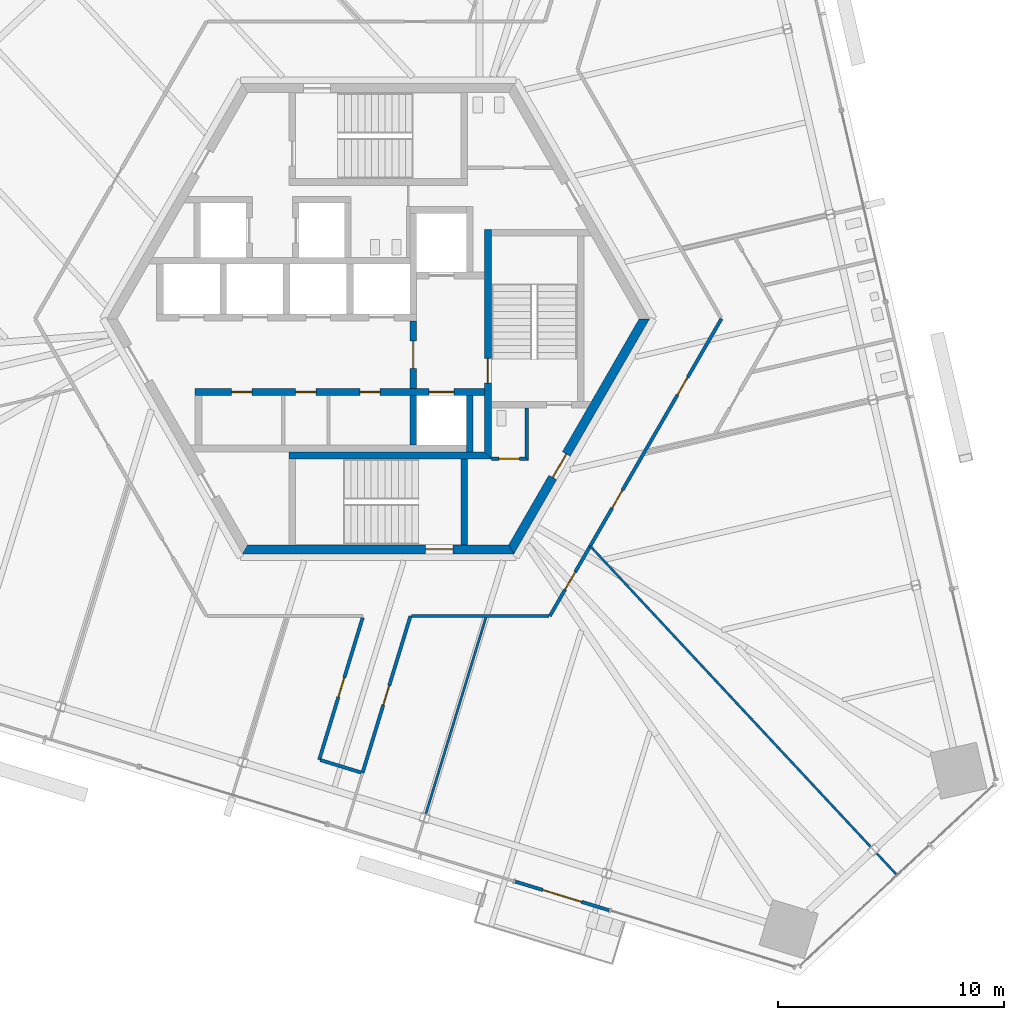
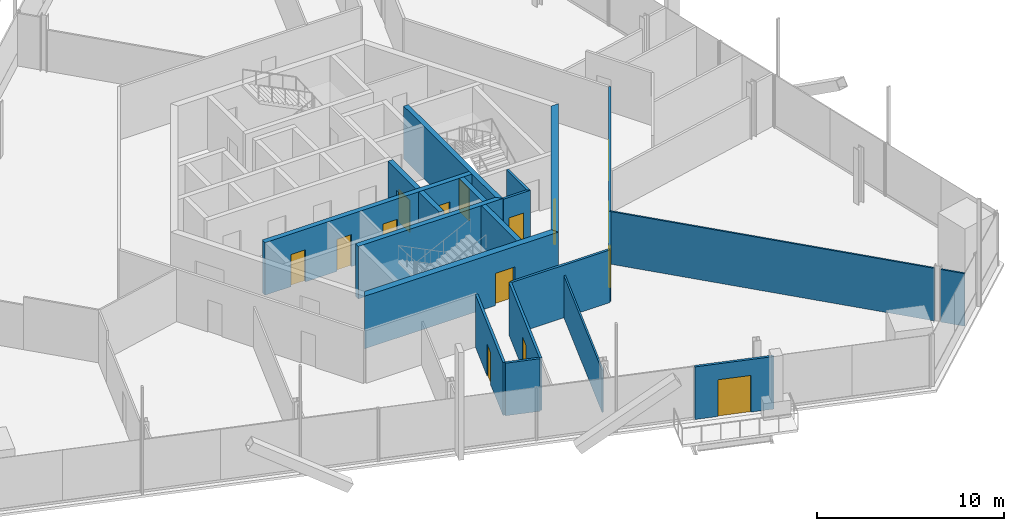
# One storey, part 12 of 21: 20 walls, 15 doors, 15 openings.
"""IFC4 building model written with IfcOpenShell, lengths in metres."""

from ifc_helpers import new_model, si_unit, direction, frame, frame_2d, origin, place, context, subcontext, project, spatial, polyline, rectangle, outline, extrude, source, transform, mapped, material, layer, layer_set, type_object, element, fill, save


model = new_model("IFC4")

# Units and contexts
model_context = context("Model", 3, precision=1e-05, world=origin(), true_north=direction((0.0, 1.0)))
body_context = subcontext(model_context, "Body", "Model", "MODEL_VIEW")
ifc_project = project(units=[si_unit("LENGTHUNIT", "METRE"), si_unit("AREAUNIT", "SQUARE_METRE"), si_unit("VOLUMEUNIT", "CUBIC_METRE"), si_unit("PLANEANGLEUNIT", "RADIAN"), si_unit("MASSUNIT", "GRAM", prefix="KILO")], contexts=[model_context])

# Site, building, storey
site_placement = place(None, origin())
site = spatial("IfcSite", under=ifc_project, at=site_placement, CompositionType="ELEMENT")
building_placement = place(site_placement, origin())
building = spatial("IfcBuilding", under=site, at=building_placement, Name="Triune Harvest Tower", CompositionType="ELEMENT")
storey_placement = place(building_placement, frame((0.0, 0.0, 119.89990234375)))
storey = spatial("IfcBuildingStorey", under=building, at=storey_placement, Name="L30", CompositionType="ELEMENT", Elevation=119.89990234375)

# Walls
ifc_material_1 = material(Name="Gypsum board on steel studs", Category="steel")
ifc_layer_1 = layer(ifc_material_1, 0.14990234375)
ifc_layer_set_1 = layer_set([ifc_layer_1], Name="Gypsum board on steel studs")
wall_type_1 = type_object("IfcWallType", Name="Fire Partition 150 mm", PredefinedType="PARTITIONING", material=ifc_layer_set_1)
wall_1_placement = place(storey_placement, frame((-2.558837890625, -19.510009765625, 0.0), z_axis=(0.0, 0.0, 1.0), x_axis=(0.95631646596, -0.292333400306, 0.0)))
element("IfcWall", 1, at=wall_1_placement, inside=storey, type_object=wall_type_1, Name="Partition L30 011", PredefinedType="PARTITIONING", context=body_context, shape_type="SweptSolid", body=[
    extrude(rectangle(XDim=1.889892578125, YDim=0.14990234375, at=frame_2d((0.94482421875, 0.0))), origin(), (0.0, 0.0, 1.0), 3.440185546875),
])
wall_2_placement = place(storey_placement, frame((1.47705078125, -13.142333984375, 0.0), z_axis=(0.0, 0.0, 1.0), x_axis=(1.0, 0.0, 0.0)))
element("IfcWall", 2, at=wall_2_placement, inside=storey, type_object=wall_type_1, Name="Partition L30 014", PredefinedType="PARTITIONING", context=body_context, shape_type="SweptSolid", body=[
    extrude(rectangle(XDim=6.070556640625, YDim=0.14990234375, at=frame_2d((3.03515625, 0.0))), origin(), (0.0, 0.0, 1.0), 3.440185546875),
])

# Wall, opening, door
wall_3_placement = place(storey_placement, frame((-0.694091796875, -20.080078125, 0.0), z_axis=(0.0, 0.0, 1.0), x_axis=(0.292373281217, 0.956304273979, 0.0)))
wall_3 = element("IfcWall", 3, at=wall_3_placement, inside=storey, type_object=wall_type_1, Name="Partition L30 030", PredefinedType="PARTITIONING", context=body_context, shape_type="SweptSolid", body=[
    extrude(rectangle(XDim=7.254638671875, YDim=0.14990234375, at=frame_2d((3.62744140625, 0.0))), origin(), (0.0, 0.0, 1.0), 3.440185546875),
])
opening_1_placement = place(wall_3_placement, frame((3.139892578125, 0.0, 0.0)))
opening_1 = element("IfcOpeningElement", 4, at=opening_1_placement, cuts=wall_3, Name="Opening L30-015", PredefinedType="OPENING", context=body_context, shape_type="SweptSolid", body=[
    extrude(rectangle(XDim=0.89990234375, YDim=2.10009765625, at=frame_2d((0.449951171875, 1.050048828125))), frame((0.0, 0.0849609375, 0.0), z_axis=(0.0, -1.0, 0.0), x_axis=(1.0, 0.0, 0.0)), (0.0, 0.0, 1.0), 0.169921875),
])
ifc_material_2 = material(Name="Timber and steel door set", Category="steel")
door_type_1 = type_object("IfcDoorType", Name="Single leaf door FD30 right hand 900 x 2100", OperationType="SINGLE_SWING_RIGHT", PredefinedType="DOOR", material=ifc_material_2)
door_1_placement = place(opening_1_placement, origin())
door_1 = element("IfcDoor", 5, at=door_1_placement, inside=storey, type_object=door_type_1, Name="Door L30-015 Meeting Room 30.15", OperationType="SINGLE_SWING_RIGHT", OverallHeight=2.10009765625, OverallWidth=0.89990234375, PredefinedType="DOOR", context=body_context, shape_type="SweptSolid", body=[
    extrude(rectangle(XDim=0.89990234375, YDim=2.10009765625, at=frame_2d((0.449951171875, 1.050048828125))), frame((0.0, 0.02490234375, 0.0), z_axis=(0.0, -1.0, 0.0), x_axis=(1.0, 0.0, 0.0)), (0.0, 0.0, 1.0), 0.050048828125),
])
fill(opening_1, door_1)

wall_4_placement = place(storey_placement, frame((-2.60693359375, -19.495361328125, 0.0), z_axis=(0.0, 0.0, 1.0), x_axis=(0.292370681145, 0.956305068901, 0.0)))
wall_4 = element("IfcWall", 6, at=wall_4_placement, inside=storey, type_object=wall_type_1, Name="Partition L30 032", PredefinedType="PARTITIONING", context=body_context, shape_type="SweptSolid", body=[
    extrude(rectangle(XDim=6.5634765625, YDim=0.14990234375, at=frame_2d((3.28173828125, 0.0))), origin(), (0.0, 0.0, 1.0), 3.440185546875),
])
opening_2_placement = place(wall_4_placement, frame((2.8935546875, 0.0, 0.0)))
opening_2 = element("IfcOpeningElement", 7, at=opening_2_placement, cuts=wall_4, Name="Opening L30-014", PredefinedType="OPENING", context=body_context, shape_type="SweptSolid", body=[
    extrude(rectangle(XDim=0.89990234375, YDim=2.10009765625, at=frame_2d((0.449951171875, 1.050048828125))), frame((0.0, 0.0849609375, 0.0), z_axis=(0.0, -1.0, 0.0), x_axis=(1.0, 0.0, 0.0)), (0.0, 0.0, 1.0), 0.169921875),
])
door_2_placement = place(opening_2_placement, origin())
door_2 = element("IfcDoor", 8, at=door_2_placement, inside=storey, type_object=door_type_1, Name="Door L30-014 Office 30.14", OperationType="SINGLE_SWING_RIGHT", OverallHeight=2.10009765625, OverallWidth=0.89990234375, PredefinedType="DOOR", context=body_context, shape_type="SweptSolid", body=[
    extrude(rectangle(XDim=0.89990234375, YDim=2.10009765625, at=frame_2d((0.449951171875, 1.050048828125))), frame((0.0, 0.02490234375, 0.0), z_axis=(0.0, -1.0, 0.0), x_axis=(1.0, 0.0, 0.0)), (0.0, 0.0, 1.0), 0.050048828125),
])
fill(opening_2, door_2)

ifc_material_3 = material(Name="Concrete 70 MPa", Category="concrete")
ifc_layer_2 = layer(ifc_material_3, 0.39990234375)
ifc_layer_set_2 = layer_set([ifc_layer_2], Name="Concrete 70 MPa")
wall_type_2 = type_object("IfcWallType", Name="Core wall 400", PredefinedType="SHEAR", material=ifc_layer_set_2)
shared_shape_1 = source(origin(), body_context, "Body", "SweptSolid", [
    extrude(outline(polyline([(-0.115478515625, -0.199951171875), (11.884521484375, -0.199951171875), (11.653564453125, 0.199951171875), (0.115478515625, 0.199951171875), (-0.115478515625, -0.199951171875)])), origin(), (0.0, 0.0, 1.0), 3.440185546875),
])
wall_5_placement = place(storey_placement, frame((-5.884521484375, -10.1923828125, 0.0), z_axis=(0.0, 0.0, 1.0), x_axis=(1.0, 0.0, 0.0)))
wall_5 = element("IfcWall", 9, at=wall_5_placement, inside=storey, type_object=wall_type_2, Name="Hexagon 4 wall", PredefinedType="SHEAR", context=body_context, shape_type="MappedRepresentation", body=[
    mapped(shared_shape_1, transform((0.0, 0.0, 0.0), scale=1.0)),
])
opening_3_placement = place(wall_5_placement, frame((7.984619140625, 0.0, 0.0)))
opening_3 = element("IfcOpeningElement", 10, at=opening_3_placement, cuts=wall_5, Name="Opening CD-S2P", PredefinedType="OPENING", context=body_context, shape_type="SweptSolid", body=[
    extrude(rectangle(XDim=1.199951171875, YDim=2.10009765625, at=frame_2d((0.60009765625, 1.050048828125))), frame((0.0, 0.2099609375, 0.0), z_axis=(0.0, -1.0, 0.0), x_axis=(1.0, 0.0, 0.0)), (0.0, 0.0, 1.0), 0.419921875),
])
ifc_material_4 = material(Name="Steel S235", Category="steel")
door_type_2 = type_object("IfcDoorType", Name="Stair door 1200 FD120", OperationType="SINGLE_SWING_LEFT", PredefinedType="DOOR", material=ifc_material_4)
door_3_placement = place(opening_3_placement, frame((1.199951171875, 0.0, 0.0), z_axis=(0.0, 0.0, 1.0), x_axis=(-1.0, 0.0, 0.0)))
door_3 = element("IfcDoor", 11, at=door_3_placement, inside=storey, type_object=door_type_2, Name="Door CD-S2P", OperationType="SINGLE_SWING_RIGHT", OverallHeight=2.10009765625, OverallWidth=1.199951171875, PredefinedType="DOOR", context=body_context, shape_type="SweptSolid", body=[
    extrude(rectangle(XDim=1.199951171875, YDim=2.10009765625, at=frame_2d((0.60009765625, 1.050048828125))), frame((0.0, 0.02490234375, 0.0), z_axis=(0.0, -1.0, 0.0), x_axis=(1.0, 0.0, 0.0)), (0.0, 0.0, 1.0), 0.050048828125),
])
fill(opening_3, door_3)

wall_6_placement = place(storey_placement, frame((5.884521484375, -10.1923828125, 0.0), z_axis=(0.0, 0.0, 1.0), x_axis=(0.499996592174, 0.866027371285, 0.0)))
wall_6 = element("IfcWall", 12, at=wall_6_placement, inside=storey, type_object=wall_type_2, Name="Hexagon 5 wall", PredefinedType="SHEAR", context=body_context, shape_type="MappedRepresentation", body=[
    mapped(shared_shape_1, transform((0.0, 0.0, 0.0), scale=1.0)),
])
opening_4_placement = place(wall_6_placement, frame((3.66455078125, 0.0, 0.0)))
opening_4 = element("IfcOpeningElement", 13, at=opening_4_placement, cuts=wall_6, Name="Opening CD-DP", PredefinedType="OPENING", context=body_context, shape_type="SweptSolid", body=[
    extrude(rectangle(XDim=1.199951171875, YDim=2.10009765625, at=frame_2d((0.60009765625, 1.050048828125))), frame((0.0, 0.2099609375, 0.0), z_axis=(0.0, -1.0, 0.0), x_axis=(1.0, 0.0, 0.0)), (0.0, 0.0, 1.0), 0.419921875),
])
door_4_placement = place(opening_4_placement, frame((1.199951171875, 0.0, 0.0), z_axis=(0.0, 0.0, 1.0), x_axis=(-1.0, 0.0, 0.0)))
door_4 = element("IfcDoor", 14, at=door_4_placement, inside=storey, type_object=door_type_2, Name="Door CD-DP", OperationType="SINGLE_SWING_RIGHT", OverallHeight=2.10009765625, OverallWidth=1.199951171875, PredefinedType="DOOR", context=body_context, shape_type="SweptSolid", body=[
    extrude(rectangle(XDim=1.199951171875, YDim=2.10009765625, at=frame_2d((0.60009765625, 1.050048828125))), frame((0.0, 0.02490234375, 0.0), z_axis=(0.0, -1.0, 0.0), x_axis=(1.0, 0.0, 0.0)), (0.0, 0.0, 1.0), 0.050048828125),
])
fill(opening_4, door_4)

# Wall
ifc_material_5 = material(Name="Concrete 70 MPa", Category="concrete")
ifc_layer_3 = layer(ifc_material_5, 0.300048828125)
ifc_layer_set_3 = layer_set([ifc_layer_3], Name="Concrete 70 MPa")
wall_type_3 = type_object("IfcWallType", Name="Core wall 300", PredefinedType="SHEAR", material=ifc_layer_set_3)
shared_shape_2 = source(origin(), body_context, "Body", "SweptSolid", [
    extrude(rectangle(XDim=2.5, YDim=0.300048828125, at=frame_2d((1.25, 0.0))), origin(), (0.0, 0.0, 1.0), 3.440185546875),
])
wall_7_placement = place(storey_placement, frame((4.050048828125, -5.889892578125, 0.0), z_axis=(0.0, 0.0, 1.0), x_axis=(0.0, 1.0, 0.0)))
element("IfcWall", 15, at=wall_7_placement, inside=storey, type_object=wall_type_3, Name="Ff2 east wall", PredefinedType="SHEAR", context=body_context, shape_type="MappedRepresentation", body=[
    mapped(shared_shape_2, transform((0.0, 0.0, 0.0), scale=1.0)),
])

# Wall, opening, door
shared_shape_3 = source(origin(), body_context, "Body", "SweptSolid", [
    extrude(rectangle(XDim=3.0, YDim=0.300048828125, at=frame_2d((1.5, 0.0))), origin(), (0.0, 0.0, 1.0), 3.440185546875),
])
wall_8_placement = place(storey_placement, frame((1.550048828125, -3.090087890625, 0.0), z_axis=(0.0, 0.0, 1.0), x_axis=(0.0, 1.0, 0.0)))
wall_8 = element("IfcWall", 16, at=wall_8_placement, inside=storey, type_object=wall_type_3, Name="Ff lobby west wall", PredefinedType="SHEAR", context=body_context, shape_type="MappedRepresentation", body=[
    mapped(shared_shape_3, transform((0.0, 0.0, 0.0), scale=1.0)),
])
opening_5_placement = place(wall_8_placement, frame((0.89990234375, 0.0, 0.0)))
opening_5 = element("IfcOpeningElement", 17, at=opening_5_placement, cuts=wall_8, Name="Opening CD-FL", PredefinedType="OPENING", context=body_context, shape_type="SweptSolid", body=[
    extrude(rectangle(XDim=1.199951171875, YDim=2.10009765625, at=frame_2d((0.60009765625, 1.050048828125))), frame((0.0, 0.16015625, 0.0), z_axis=(0.0, -1.0, 0.0), x_axis=(1.0, 0.0, 0.0)), (0.0, 0.0, 1.0), 0.320068359375),
])
ifc_material_6 = material(Name="Steel S235", Category="steel")
door_type_3 = type_object("IfcDoorType", Name="Firefighters' lobby door 1200 FD120", OperationType="SINGLE_SWING_LEFT", PredefinedType="DOOR", material=ifc_material_6)
door_5_placement = place(opening_5_placement, frame((1.199951171875, 0.0, 0.0), z_axis=(0.0, 0.0, 1.0), x_axis=(-1.0, 0.0, 0.0)))
door_5 = element("IfcDoor", 18, at=door_5_placement, inside=storey, type_object=door_type_3, Name="Door CD-FL", OperationType="SINGLE_SWING_RIGHT", OverallHeight=2.10009765625, OverallWidth=1.199951171875, PredefinedType="DOOR", context=body_context, shape_type="SweptSolid", body=[
    extrude(rectangle(XDim=1.199951171875, YDim=2.10009765625, at=frame_2d((0.60009765625, 1.050048828125))), frame((0.0, 0.02490234375, 0.0), z_axis=(0.0, -1.0, 0.0), x_axis=(1.0, 0.0, 0.0)), (0.0, 0.0, 1.0), 0.050048828125),
])
fill(opening_5, door_5)

# Wall, openings, doors
shared_shape_4 = source(origin(), body_context, "Body", "SweptSolid", [
    extrude(rectangle(XDim=12.800048828125, YDim=0.300048828125, at=frame_2d((6.39990234375, 0.0))), origin(), (0.0, 0.0, 1.0), 3.440185546875),
])
wall_9_placement = place(storey_placement, frame((-8.10009765625, -3.239990234375, 0.0), z_axis=(0.0, 0.0, 1.0), x_axis=(1.0, 0.0, 0.0)))
wall_9 = element("IfcWall", 19, at=wall_9_placement, inside=storey, type_object=wall_type_3, Name="South front wall", PredefinedType="SHEAR", context=body_context, shape_type="MappedRepresentation", body=[
    mapped(shared_shape_4, transform((0.0, 0.0, 0.0), scale=1.0)),
])
opening_6_placement = place(wall_9_placement, frame((1.612548828125, 0.0, 0.0)))
opening_6 = element("IfcOpeningElement", 20, at=opening_6_placement, cuts=wall_9, Name="Opening CD-RS1", PredefinedType="OPENING", context=body_context, shape_type="SweptSolid", body=[
    extrude(rectangle(XDim=0.89990234375, YDim=2.10009765625, at=frame_2d((0.449951171875, 1.050048828125))), frame((0.0, 0.16015625, 0.0), z_axis=(0.0, -1.0, 0.0), x_axis=(1.0, 0.0, 0.0)), (0.0, 0.0, 1.0), 0.320068359375),
])
opening_7_placement = place(wall_9_placement, frame((4.449951171875, 0.0, 0.0)))
opening_7 = element("IfcOpeningElement", 21, at=opening_7_placement, cuts=wall_9, Name="Opening CD-RS2", PredefinedType="OPENING", context=body_context, shape_type="SweptSolid", body=[
    extrude(rectangle(XDim=0.89990234375, YDim=2.10009765625, at=frame_2d((0.449951171875, 1.050048828125))), frame((0.0, 0.16015625, 0.0), z_axis=(0.0, -1.0, 0.0), x_axis=(1.0, 0.0, 0.0)), (0.0, 0.0, 1.0), 0.320068359375),
])
opening_8_placement = place(wall_9_placement, frame((7.28759765625, 0.0, 0.0)))
opening_8 = element("IfcOpeningElement", 22, at=opening_8_placement, cuts=wall_9, Name="Opening CD-RS3", PredefinedType="OPENING", context=body_context, shape_type="SweptSolid", body=[
    extrude(rectangle(XDim=0.89990234375, YDim=2.10009765625, at=frame_2d((0.449951171875, 1.050048828125))), frame((0.0, 0.16015625, 0.0), z_axis=(0.0, -1.0, 0.0), x_axis=(1.0, 0.0, 0.0)), (0.0, 0.0, 1.0), 0.320068359375),
])
opening_9_placement = place(wall_9_placement, frame((10.35009765625, 0.0, 0.0)))
opening_9 = element("IfcOpeningElement", 23, at=opening_9_placement, cuts=wall_9, Name="Opening LD-FF2-30", PredefinedType="OPENING", context=body_context, shape_type="SweptSolid", body=[
    extrude(rectangle(XDim=1.10009765625, YDim=2.10009765625, at=frame_2d((0.550048828125, 1.050048828125))), frame((0.0, 0.16015625, 0.0), z_axis=(0.0, -1.0, 0.0), x_axis=(1.0, 0.0, 0.0)), (0.0, 0.0, 1.0), 0.320068359375),
])
ifc_material_7 = material(Name="Stainless steel AISI 304", Category="steel")
door_type_4 = type_object("IfcDoorType", Name="Landing door 1100 x 2100", OperationType="DOUBLE_DOOR_SLIDING", PredefinedType="DOOR", material=ifc_material_7)
door_6_placement = place(opening_9_placement, origin())
door_6 = element("IfcDoor", 24, at=door_6_placement, inside=storey, type_object=door_type_4, Name="Door LD-FF2-30", OperationType="DOUBLE_DOOR_SLIDING", OverallHeight=2.10009765625, OverallWidth=1.10009765625, PredefinedType="DOOR", context=body_context, shape_type="SweptSolid", body=[
    extrude(rectangle(XDim=1.10009765625, YDim=2.10009765625, at=frame_2d((0.550048828125, 1.050048828125))), frame((0.0, 0.02490234375, 0.0), z_axis=(0.0, -1.0, 0.0), x_axis=(1.0, 0.0, 0.0)), (0.0, 0.0, 1.0), 0.050048828125),
])
fill(opening_9, door_6)
ifc_material_8 = material(Name="Steel S235", Category="steel")
door_type_5 = type_object("IfcDoorType", Name="Riser door 900 FD120", OperationType="SINGLE_SWING_LEFT", PredefinedType="DOOR", material=ifc_material_8)
door_7_placement = place(opening_6_placement, origin())
door_7 = element("IfcDoor", 25, at=door_7_placement, inside=storey, type_object=door_type_5, Name="Door CD-RS1", OperationType="SINGLE_SWING_LEFT", OverallHeight=2.10009765625, OverallWidth=0.89990234375, PredefinedType="DOOR", context=body_context, shape_type="SweptSolid", body=[
    extrude(rectangle(XDim=0.89990234375, YDim=2.10009765625, at=frame_2d((0.449951171875, 1.050048828125))), frame((0.0, 0.02490234375, 0.0), z_axis=(0.0, -1.0, 0.0), x_axis=(1.0, 0.0, 0.0)), (0.0, 0.0, 1.0), 0.050048828125),
])
fill(opening_6, door_7)
door_8_placement = place(opening_7_placement, origin())
door_8 = element("IfcDoor", 26, at=door_8_placement, inside=storey, type_object=door_type_5, Name="Door CD-RS2", OperationType="SINGLE_SWING_LEFT", OverallHeight=2.10009765625, OverallWidth=0.89990234375, PredefinedType="DOOR", context=body_context, shape_type="SweptSolid", body=[
    extrude(rectangle(XDim=0.89990234375, YDim=2.10009765625, at=frame_2d((0.449951171875, 1.050048828125))), frame((0.0, 0.02490234375, 0.0), z_axis=(0.0, -1.0, 0.0), x_axis=(1.0, 0.0, 0.0)), (0.0, 0.0, 1.0), 0.050048828125),
])
fill(opening_7, door_8)
door_9_placement = place(opening_8_placement, origin())
door_9 = element("IfcDoor", 27, at=door_9_placement, inside=storey, type_object=door_type_5, Name="Door CD-RS3", OperationType="SINGLE_SWING_LEFT", OverallHeight=2.10009765625, OverallWidth=0.89990234375, PredefinedType="DOOR", context=body_context, shape_type="SweptSolid", body=[
    extrude(rectangle(XDim=0.89990234375, YDim=2.10009765625, at=frame_2d((0.449951171875, 1.050048828125))), frame((0.0, 0.02490234375, 0.0), z_axis=(0.0, -1.0, 0.0), x_axis=(1.0, 0.0, 0.0)), (0.0, 0.0, 1.0), 0.050048828125),
])
fill(opening_8, door_9)

# Wall
shared_shape_5 = source(origin(), body_context, "Body", "SweptSolid", [
    extrude(rectangle(XDim=2.2001953125, YDim=0.300048828125, at=frame_2d((1.10009765625, 0.0))), origin(), (0.0, 0.0, 1.0), 3.440185546875),
])
wall_10_placement = place(storey_placement, frame((1.550048828125, -5.590087890625, 0.0), z_axis=(0.0, 0.0, 1.0), x_axis=(0.0, 1.0, 0.0)))
element("IfcWall", 28, at=wall_10_placement, inside=storey, type_object=wall_type_3, Name="Ff2 west wall", PredefinedType="SHEAR", context=body_context, shape_type="MappedRepresentation", body=[
    mapped(shared_shape_5, transform((0.0, 0.0, 0.0), scale=1.0)),
])

# Wall, opening, door
shared_shape_6 = source(origin(), body_context, "Body", "SweptSolid", [
    extrude(outline(polyline([(-0.14990234375, -0.14990234375), (9.989990234375, -0.14990234375), (9.989990234375, 0.14990234375), (0.14990234375, 0.14990234375), (-0.14990234375, -0.14990234375)])), origin(), (0.0, 0.0, 1.0), 3.440185546875),
])
wall_11_placement = place(storey_placement, frame((4.85009765625, -6.0400390625, 0.0), z_axis=(0.0, 0.0, 1.0), x_axis=(0.0, 1.0, 0.0)))
wall_11 = element("IfcWall", 29, at=wall_11_placement, inside=storey, type_object=wall_type_3, Name="Stair e west wall", PredefinedType="SHEAR", context=body_context, shape_type="MappedRepresentation", body=[
    mapped(shared_shape_6, transform((0.0, 0.0, 0.0), scale=1.0)),
])
opening_10_placement = place(wall_11_placement, frame((3.18994140625, 0.0, 0.0)))
opening_10 = element("IfcOpeningElement", 30, at=opening_10_placement, cuts=wall_11, Name="Opening CD-S3L", PredefinedType="OPENING", context=body_context, shape_type="SweptSolid", body=[
    extrude(rectangle(XDim=1.10009765625, YDim=2.10009765625, at=frame_2d((0.550048828125, 1.050048828125))), frame((0.0, 0.16015625, 0.0), z_axis=(0.0, -1.0, 0.0), x_axis=(1.0, 0.0, 0.0)), (0.0, 0.0, 1.0), 0.320068359375),
])
ifc_material_9 = material(Name="Steel S235", Category="steel")
door_type_6 = type_object("IfcDoorType", Name="Stair door 1100 FD120", OperationType="SINGLE_SWING_LEFT", PredefinedType="DOOR", material=ifc_material_9)
door_10_placement = place(opening_10_placement, frame((1.10009765625, 0.0, 0.0), z_axis=(0.0, 0.0, 1.0), x_axis=(-1.0, 0.0, 0.0)))
door_10 = element("IfcDoor", 31, at=door_10_placement, inside=storey, type_object=door_type_6, Name="Door CD-S3L", OperationType="SINGLE_SWING_RIGHT", OverallHeight=2.10009765625, OverallWidth=1.10009765625, PredefinedType="DOOR", context=body_context, shape_type="SweptSolid", body=[
    extrude(rectangle(XDim=1.10009765625, YDim=2.10009765625, at=frame_2d((0.550048828125, 1.050048828125))), frame((0.0, 0.02490234375, 0.0), z_axis=(0.0, -1.0, 0.0), x_axis=(1.0, 0.0, 0.0)), (0.0, 0.0, 1.0), 0.050048828125),
])
fill(opening_10, door_10)

# Walls
shared_shape_7 = source(origin(), body_context, "Body", "SweptSolid", [
    extrude(outline(polyline([(0.0, -0.14990234375), (8.949951171875, -0.14990234375), (8.64990234375, 0.14990234375), (0.0, 0.14990234375), (0.0, -0.14990234375)])), origin(), (0.0, 0.0, 1.0), 3.440185546875),
])
wall_12_placement = place(storey_placement, frame((-3.949951171875, -6.0400390625, 0.0), z_axis=(0.0, 0.0, 1.0), x_axis=(1.0, 0.0, 0.0)))
element("IfcWall", 32, at=wall_12_placement, inside=storey, type_object=wall_type_3, Name="Stair s north wall", PredefinedType="SHEAR", context=body_context, shape_type="MappedRepresentation", body=[
    mapped(shared_shape_7, transform((0.0, 0.0, 0.0), scale=1.0)),
])
shared_shape_8 = source(origin(), body_context, "Body", "SweptSolid", [
    extrude(outline(polyline([(3.800048828125, -0.14990234375), (-0.00439453125, -0.14990234375), (-0.00439453125, 0.14990234375), (3.800048828125, 0.14990234375), (3.800048828125, -0.14990234375)])), origin(), (0.0, 0.0, 1.0), 3.440185546875),
])
wall_13_placement = place(storey_placement, frame((3.800048828125, -9.989990234375, 0.0), z_axis=(0.0, 0.0, 1.0), x_axis=(0.0, 1.0, 0.0)))
element("IfcWall", 33, at=wall_13_placement, inside=storey, type_object=wall_type_3, Name="Stair s east wall", PredefinedType="SHEAR", context=body_context, shape_type="MappedRepresentation", body=[
    mapped(shared_shape_8, transform((0.0, 0.0, 0.0), scale=1.0)),
])

# Wall, opening, door
ifc_material_10 = material(Name="Concrete masonry unit", Category="masonry")
ifc_layer_4 = layer(ifc_material_10, 0.14990234375)
ifc_layer_set_4 = layer_set([ifc_layer_4], Name="Concrete masonry unit")
wall_type_4 = type_object("IfcWallType", Name="Block partition 150 unrated", PredefinedType="PARTITIONING", material=ifc_layer_set_4)
shared_shape_9 = source(origin(), body_context, "Body", "SweptSolid", [
    extrude(outline(polyline([(0.0, -0.074951171875), (1.64990234375, -0.074951171875), (1.5, 0.074951171875), (0.0, 0.074951171875), (0.0, -0.074951171875)])), origin(), (0.0, 0.0, 1.0), 3.440185546875),
])
wall_14_placement = place(storey_placement, frame((5.0, -6.18994140625, 0.0), z_axis=(0.0, 0.0, 1.0), x_axis=(1.0, 0.0, 0.0)))
wall_14 = element("IfcWall", 34, at=wall_14_placement, inside=storey, type_object=wall_type_4, Name="Wc acc south wall", PredefinedType="PARTITIONING", context=body_context, shape_type="MappedRepresentation", body=[
    mapped(shared_shape_9, transform((0.0, 0.0, 0.0), scale=1.0)),
])
opening_11_placement = place(wall_14_placement, frame((0.33740234375, 0.0, 0.0)))
opening_11 = element("IfcOpeningElement", 35, at=opening_11_placement, cuts=wall_14, Name="Opening CD-WA", PredefinedType="OPENING", context=body_context, shape_type="SweptSolid", body=[
    extrude(rectangle(XDim=0.89990234375, YDim=2.10009765625, at=frame_2d((0.449951171875, 1.050048828125))), frame((0.0, 0.0849609375, 0.0), z_axis=(0.0, -1.0, 0.0), x_axis=(1.0, 0.0, 0.0)), (0.0, 0.0, 1.0), 0.169921875),
])
ifc_material_11 = material(Name="Timber C24", Category="wood")
door_type_7 = type_object("IfcDoorType", Name="WC door 900", OperationType="SINGLE_SWING_LEFT", PredefinedType="DOOR", material=ifc_material_11)
door_11_placement = place(opening_11_placement, origin())
door_11 = element("IfcDoor", 36, at=door_11_placement, inside=storey, type_object=door_type_7, Name="Door CD-WA", OperationType="SINGLE_SWING_LEFT", OverallHeight=2.10009765625, OverallWidth=0.89990234375, PredefinedType="DOOR", context=body_context, shape_type="SweptSolid", body=[
    extrude(rectangle(XDim=0.89990234375, YDim=2.10009765625, at=frame_2d((0.449951171875, 1.050048828125))), frame((0.0, 0.02490234375, 0.0), z_axis=(0.0, -1.0, 0.0), x_axis=(1.0, 0.0, 0.0)), (0.0, 0.0, 1.0), 0.050048828125),
])
fill(opening_11, door_11)

# Wall
shared_shape_10 = source(origin(), body_context, "Body", "SweptSolid", [
    extrude(outline(polyline([(-0.074951171875, -0.074951171875), (2.239990234375, -0.074951171875), (2.239990234375, 0.074951171875), (0.074951171875, 0.074951171875), (-0.074951171875, -0.074951171875)])), origin(), (0.0, 0.0, 1.0), 3.440185546875),
])
wall_15_placement = place(storey_placement, frame((6.574951171875, -6.18994140625, 0.0), z_axis=(0.0, 0.0, 1.0), x_axis=(0.0, 1.0, 0.0)))
element("IfcWall", 37, at=wall_15_placement, inside=storey, type_object=wall_type_4, Name="Wc acc east wall", PredefinedType="PARTITIONING", context=body_context, shape_type="MappedRepresentation", body=[
    mapped(shared_shape_10, transform((0.0, 0.0, 0.0), scale=1.0)),
])

# Wall, opening, door
ifc_material_12 = material(Name="Aluminium bronze anodised", Category="aluminium")
ifc_layer_5 = layer(ifc_material_12, 0.14990234375)
ifc_layer_set_5 = layer_set([ifc_layer_5], Name="Aluminium bronze anodised")
wall_type_5 = type_object("IfcWallType", Name="WW-2 balcony window wall", PredefinedType="ELEMENTEDWALL", material=ifc_layer_set_5)
shared_shape_11 = source(origin(), body_context, "Body", "SweptSolid", [
    extrude(rectangle(XDim=4.353271484375, YDim=0.14990234375, at=frame_2d((2.1767578125, 0.0))), origin(), (0.0, 0.0, 1.0), 3.440185546875),
])
wall_16_placement = place(storey_placement, frame((10.21337890625, -26.153076171875, 0.0), z_axis=(0.0, 0.0, 1.0), x_axis=(-0.956309766943, 0.292355314044, 0.0)))
wall_16 = element("IfcWall", 38, at=wall_16_placement, inside=storey, type_object=wall_type_5, Name="WW-2 B3-F5 L30.10", PredefinedType="ELEMENTEDWALL", context=body_context, shape_type="MappedRepresentation", body=[
    mapped(shared_shape_11, transform((0.0, 0.0, 0.0), scale=1.0)),
])
opening_12_placement = place(wall_16_placement, frame((1.276611328125, 0.0, 0.0)))
opening_12 = element("IfcOpeningElement", 39, at=opening_12_placement, cuts=wall_16, Name="Opening L30-E02", PredefinedType="OPENING", context=body_context, shape_type="SweptSolid", body=[
    extrude(rectangle(XDim=1.800048828125, YDim=2.39990234375, at=frame_2d((0.89990234375, 1.199951171875))), frame((0.0, 0.0849609375, 0.0), z_axis=(0.0, -1.0, 0.0), x_axis=(1.0, 0.0, 0.0)), (0.0, 0.0, 1.0), 0.169921875),
])
ifc_material_13 = material(Name="Glass", Category="glass")
door_type_8 = type_object("IfcDoorType", Name="DB-1 balcony door 1800 x 2400", OperationType="DOUBLE_DOOR_SINGLE_SWING", PredefinedType="DOOR", material=ifc_material_13)
door_12_placement = place(opening_12_placement, origin())
door_12 = element("IfcDoor", 40, at=door_12_placement, inside=storey, type_object=door_type_8, Name="Door L30-E02", OperationType="DOUBLE_DOOR_SINGLE_SWING", OverallHeight=2.39990234375, OverallWidth=1.800048828125, PredefinedType="DOOR", context=body_context, shape_type="SweptSolid", body=[
    extrude(rectangle(XDim=1.800048828125, YDim=2.39990234375, at=frame_2d((0.89990234375, 1.199951171875))), frame((0.0, 0.02490234375, 0.0), z_axis=(0.0, -1.0, 0.0), x_axis=(1.0, 0.0, 0.0)), (0.0, 0.0, 1.0), 0.050048828125),
])
fill(opening_12, door_12)

# Walls
ifc_material_14 = material(Name="Gypsum board on steel studs", Category="steel")
ifc_layer_6 = layer(ifc_material_14, 0.10009765625)
ifc_layer_set_6 = layer_set([ifc_layer_6], Name="Gypsum board on steel studs")
wall_type_6 = type_object("IfcWallType", Name="Partition 100 mm", PredefinedType="PARTITIONING", material=ifc_layer_set_6)
shared_shape_12 = source(origin(), body_context, "Body", "SweptSolid", [
    extrude(rectangle(XDim=1.338134765625, YDim=0.10009765625, at=frame_2d((0.6689453125, 0.0))), origin(), (0.0, 0.0, 1.0), 3.440185546875),
])
wall_17_placement = place(storey_placement, frame((22.02490234375, -23.618896484375, 0.0), z_axis=(0.0, 0.0, 1.0), x_axis=(0.68204515899, -0.731310058114, 0.0)))
element("IfcWall", 41, at=wall_17_placement, inside=storey, type_object=wall_type_6, Name="Partition L30 008", PredefinedType="PARTITIONING", context=body_context, shape_type="MappedRepresentation", body=[
    mapped(shared_shape_12, transform((0.0, 0.0, 0.0), scale=1.0)),
])
shared_shape_13 = source(origin(), body_context, "Body", "SweptSolid", [
    extrude(rectangle(XDim=18.19091796875, YDim=0.10009765625, at=frame_2d((9.095458984375, 0.0))), origin(), (0.0, 0.0, 1.0), 3.440185546875),
])
wall_18_placement = place(storey_placement, frame((9.37255859375, -10.05078125, 0.0), z_axis=(0.0, 0.0, 1.0), x_axis=(0.682001629271, -0.73135065302, 0.0)))
element("IfcWall", 42, at=wall_18_placement, inside=storey, type_object=wall_type_6, Name="Partition L30 007", PredefinedType="PARTITIONING", context=body_context, shape_type="MappedRepresentation", body=[
    mapped(shared_shape_13, transform((0.0, 0.0, 0.0), scale=1.0)),
])

# Wall, openings, doors
shared_shape_14 = source(origin(), body_context, "Body", "SweptSolid", [
    extrude(rectangle(XDim=15.175537109375, YDim=0.14990234375, at=frame_2d((7.587890625, 0.0))), origin(), (0.0, 0.0, 1.0), 3.440185546875),
])
wall_19_placement = place(storey_placement, frame((7.587646484375, -13.142333984375, 0.0), z_axis=(0.0, 0.0, 1.0), x_axis=(0.499995869336, 0.866027788611, 0.0)))
wall_19 = element("IfcWall", 43, at=wall_19_placement, inside=storey, type_object=wall_type_1, Name="Partition L30 025", PredefinedType="PARTITIONING", context=body_context, shape_type="MappedRepresentation", body=[
    mapped(shared_shape_14, transform((0.0, 0.0, 0.0), scale=1.0)),
])
opening_13_placement = place(wall_19_placement, frame((5.52001953125, 0.0, 0.0)))
opening_13 = element("IfcOpeningElement", 44, at=opening_13_placement, cuts=wall_19, Name="Opening L30-001", PredefinedType="OPENING", context=body_context, shape_type="SweptSolid", body=[
    extrude(rectangle(XDim=0.89990234375, YDim=2.10009765625, at=frame_2d((0.449951171875, 1.050048828125))), frame((0.0, 0.0849609375, 0.0), z_axis=(0.0, -1.0, 0.0), x_axis=(1.0, 0.0, 0.0)), (0.0, 0.0, 1.0), 0.169921875),
])
opening_14_placement = place(wall_19_placement, frame((11.287841796875, 0.0, 0.0)))
opening_14 = element("IfcOpeningElement", 45, at=opening_14_placement, cuts=wall_19, Name="Opening L30-002", PredefinedType="OPENING", context=body_context, shape_type="SweptSolid", body=[
    extrude(rectangle(XDim=0.89990234375, YDim=2.10009765625, at=frame_2d((0.449951171875, 1.050048828125))), frame((0.0, 0.0849609375, 0.0), z_axis=(0.0, -1.0, 0.0), x_axis=(1.0, 0.0, 0.0)), (0.0, 0.0, 1.0), 0.169921875),
])
opening_15_placement = place(wall_19_placement, frame((1.35009765625, 0.0, 0.0)))
opening_15 = element("IfcOpeningElement", 46, at=opening_15_placement, cuts=wall_19, Name="Opening L30-016", PredefinedType="OPENING", context=body_context, shape_type="SweptSolid", body=[
    extrude(rectangle(XDim=0.89990234375, YDim=2.10009765625, at=frame_2d((0.449951171875, 1.050048828125))), frame((0.0, 0.0849609375, 0.0), z_axis=(0.0, -1.0, 0.0), x_axis=(1.0, 0.0, 0.0)), (0.0, 0.0, 1.0), 0.169921875),
])
ifc_material_15 = material(Name="Timber and steel door set", Category="steel")
door_type_9 = type_object("IfcDoorType", Name="Single leaf door FD30 left hand 900 x 2100", OperationType="SINGLE_SWING_LEFT", PredefinedType="DOOR", material=ifc_material_15)
door_13_placement = place(opening_14_placement, origin())
door_13 = element("IfcDoor", 47, at=door_13_placement, inside=storey, type_object=door_type_9, Name="Door L30-002 WC lobby 30.02", OperationType="SINGLE_SWING_LEFT", OverallHeight=2.10009765625, OverallWidth=0.89990234375, PredefinedType="DOOR", context=body_context, shape_type="SweptSolid", body=[
    extrude(rectangle(XDim=0.89990234375, YDim=2.10009765625, at=frame_2d((0.449951171875, 1.050048828125))), frame((0.0, 0.02490234375, 0.0), z_axis=(0.0, -1.0, 0.0), x_axis=(1.0, 0.0, 0.0)), (0.0, 0.0, 1.0), 0.050048828125),
])
fill(opening_14, door_13)
door_14_placement = place(opening_13_placement, origin())
door_14 = element("IfcDoor", 48, at=door_14_placement, inside=storey, type_object=door_type_1, Name="Door L30-001 Open Office 30.01", OperationType="SINGLE_SWING_RIGHT", OverallHeight=2.10009765625, OverallWidth=0.89990234375, PredefinedType="DOOR", context=body_context, shape_type="SweptSolid", body=[
    extrude(rectangle(XDim=0.89990234375, YDim=2.10009765625, at=frame_2d((0.449951171875, 1.050048828125))), frame((0.0, 0.02490234375, 0.0), z_axis=(0.0, -1.0, 0.0), x_axis=(1.0, 0.0, 0.0)), (0.0, 0.0, 1.0), 0.050048828125),
])
fill(opening_13, door_14)
door_15_placement = place(opening_15_placement, origin())
door_15 = element("IfcDoor", 49, at=door_15_placement, inside=storey, type_object=door_type_1, Name="Door L30-016 Office 30.16", OperationType="SINGLE_SWING_RIGHT", OverallHeight=2.10009765625, OverallWidth=0.89990234375, PredefinedType="DOOR", context=body_context, shape_type="SweptSolid", body=[
    extrude(rectangle(XDim=0.89990234375, YDim=2.10009765625, at=frame_2d((0.449951171875, 1.050048828125))), frame((0.0, 0.02490234375, 0.0), z_axis=(0.0, -1.0, 0.0), x_axis=(1.0, 0.0, 0.0)), (0.0, 0.0, 1.0), 0.050048828125),
])
fill(opening_15, door_15)

# Wall
shared_shape_15 = source(origin(), body_context, "Body", "SweptSolid", [
    extrude(rectangle(XDim=9.155029296875, YDim=0.10009765625, at=frame_2d((4.57763671875, 0.0))), origin(), (0.0, 0.0, 1.0), 2.7568359375),
])
wall_20_placement = place(storey_placement, frame((2.104248046875, -21.897216796875, 0.0), z_axis=(0.0, 0.0, 1.0), x_axis=(0.292383844163, 0.95630104448, 0.0)))
element("IfcWall", 50, at=wall_20_placement, inside=storey, type_object=wall_type_6, Name="Partition L30 028", PredefinedType="PARTITIONING", context=body_context, shape_type="MappedRepresentation", body=[
    mapped(shared_shape_15, transform((0.0, 0.0, 0.0), scale=1.0)),
])

save(model, "model.ifc")
